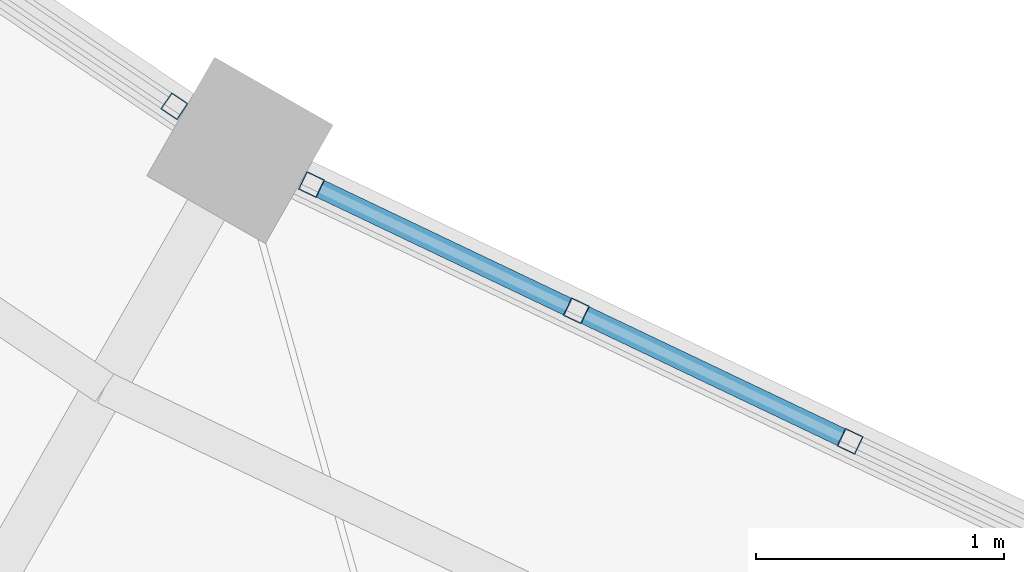
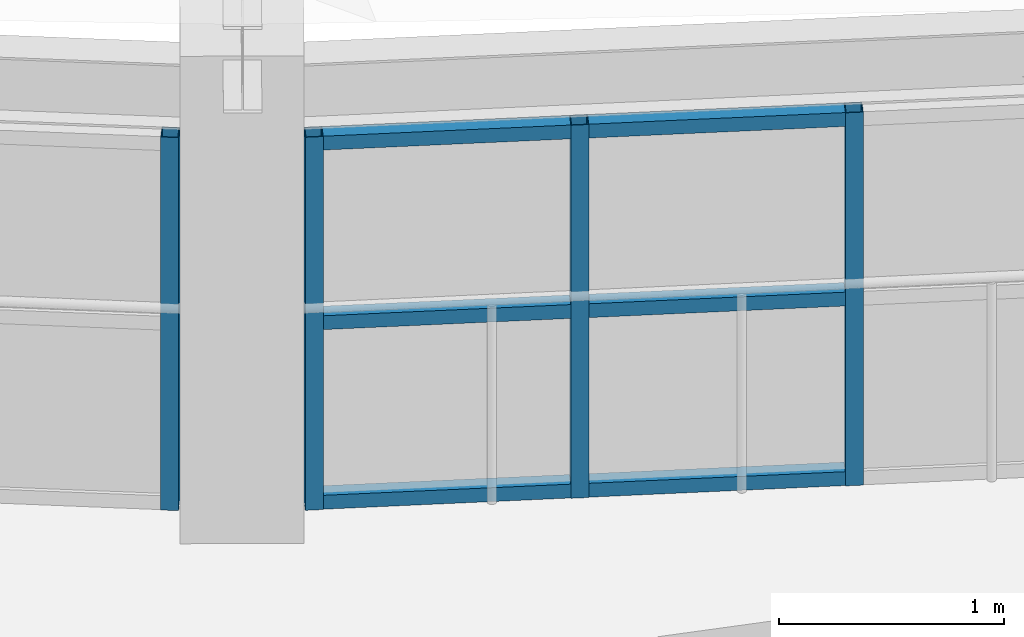
# One storey, part 40 of 149: 10 members, 2 elements without a shape of their own.
"""IFC4 building model written with IfcOpenShell, lengths in metres."""

from ifc_helpers import new_model, si_unit, direction, frame, origin, origin_2d, place, context, subcontext, project, spatial, hollow_rectangle, extrude, material, material_profile, profile_set, type_object, element, aggregate, save


model = new_model("IFC4")

# Units and contexts
model_context = context("Model", 3, precision=1e-05, world=origin(), true_north=direction((0.0, 1.0)))
body_context = subcontext(model_context, "Body", "Model", "MODEL_VIEW")
ifc_project = project(units=[si_unit("LENGTHUNIT", "METRE"), si_unit("AREAUNIT", "SQUARE_METRE"), si_unit("VOLUMEUNIT", "CUBIC_METRE"), si_unit("PLANEANGLEUNIT", "RADIAN"), si_unit("MASSUNIT", "GRAM", prefix="KILO")], contexts=[model_context])

# Site, building, storey
site_placement = place(None, origin())
site = spatial("IfcSite", under=ifc_project, at=site_placement, CompositionType="ELEMENT")
building_placement = place(site_placement, origin())
building = spatial("IfcBuilding", under=site, at=building_placement, Name="Celadon Cloister-Ring School", CompositionType="ELEMENT")
storey_placement = place(building_placement, frame((0.0, 0.0, 12.5)))
storey = spatial("IfcBuildingStorey", under=building, at=storey_placement, Name="L03", CompositionType="ELEMENT", Elevation=12.5)

# Curtain wall, member
ifc_material_1 = material(Name="Aluminium EN AW-6063 T6", Category="aluminium")
curtain_wall_type = type_object("IfcCurtainWallType", Name="CW-02", PredefinedType="USERDEFINED", material=ifc_material_1)
curtain_wall_1_placement = place(storey_placement, origin())
curtain_wall_1 = element("IfcCurtainWall", 1, at=curtain_wall_1_placement, inside=storey, type_object=curtain_wall_type, Name="Curtain Wall 0057", ObjectType="CURTAIN WALL", PredefinedType="USERDEFINED")
ifc_material_2 = material(Name="Aluminium EN AW-6063 T6", Category="aluminium")
ifc_material_profile_1 = material_profile(ifc_material_2, hollow_rectangle(XDim=0.080078125, YDim=0.080078125, WallThickness=0.00390625, at=origin_2d()), Name="RHS80X80X4")
ifc_profile_set_1 = profile_set([ifc_material_profile_1], Name="Aluminium EN AW-6063 T6")
member_type_1 = type_object("IfcMemberType", Name="CM-03", PredefinedType="MULLION", material=ifc_profile_set_1)
member_1_placement = place(storey_placement, frame((64.415771484375, 20.104248046875, 0.0), z_axis=(0.0, 0.0, 1.0), x_axis=(0.558848567753, 0.829269725916, 0.0)))
member_1 = element("IfcMember", 2, at=member_1_placement, type_object=member_type_1, Name="CW-02 mullion 6", PredefinedType="MULLION", context=body_context, shape_type="SweptSolid", body=[
    extrude(hollow_rectangle(XDim=0.080078125, YDim=0.080078125, WallThickness=0.00390625, at=origin_2d()), origin(), (0.0, 0.0, 1.0), 2.02001953125),
])
aggregate(curtain_wall_1, [member_1])

# Curtain wall, members
curtain_wall_2_placement = place(storey_placement, origin())
curtain_wall_2 = element("IfcCurtainWall", 3, at=curtain_wall_2_placement, inside=storey, type_object=curtain_wall_type, Name="Curtain Wall 0058", ObjectType="CURTAIN WALL", PredefinedType="USERDEFINED")
member_2_placement = place(storey_placement, frame((64.968017578125, 19.788818359375, 0.0), z_axis=(0.0, 0.0, 1.0), x_axis=(0.430371984189, 0.902651624507, 0.0)))
member_2 = element("IfcMember", 4, at=member_2_placement, type_object=member_type_1, Name="CW-02 mullion 1", PredefinedType="MULLION", context=body_context, shape_type="SweptSolid", body=[
    extrude(hollow_rectangle(XDim=0.080078125, YDim=0.080078125, WallThickness=0.00390625, at=origin_2d()), origin(), (0.0, 0.0, 1.0), 2.02001953125),
])
member_3_placement = place(storey_placement, frame((66.034912109375, 19.2802734375, 0.0), z_axis=(0.0, 0.0, 1.0), x_axis=(0.430371984189, 0.902651624507, 0.0)))
member_3 = element("IfcMember", 5, at=member_3_placement, type_object=member_type_1, Name="CW-02 mullion 2", PredefinedType="MULLION", context=body_context, shape_type="SweptSolid", body=[
    extrude(hollow_rectangle(XDim=0.080078125, YDim=0.080078125, WallThickness=0.00390625, at=origin_2d()), origin(), (0.0, 0.0, 1.0), 2.02001953125),
])
member_4_placement = place(storey_placement, frame((67.1376953125, 18.75439453125, 0.0), z_axis=(0.0, 0.0, 1.0), x_axis=(0.430371984189, 0.902651624507, 0.0)))
member_4 = element("IfcMember", 6, at=member_4_placement, type_object=member_type_1, Name="CW-02 mullion 3", PredefinedType="MULLION", context=body_context, shape_type="SweptSolid", body=[
    extrude(hollow_rectangle(XDim=0.080078125, YDim=0.080078125, WallThickness=0.00390625, at=origin_2d()), origin(), (0.0, 0.0, 1.0), 2.02001953125),
])
ifc_material_3 = material(Name="Aluminium EN AW-6063 T6", Category="aluminium")
ifc_material_profile_2 = material_profile(ifc_material_3, hollow_rectangle(XDim=0.074951171875, YDim=0.074951171875, WallThickness=0.00390625, at=origin_2d()), Name="RHS75X75X4")
ifc_profile_set_2 = profile_set([ifc_material_profile_2], Name="Aluminium EN AW-6063 T6")
member_type_2 = type_object("IfcMemberType", Name="CTM-03", PredefinedType="USERDEFINED", material=ifc_profile_set_2)
member_5_placement = place(storey_placement, frame((65.004150390625, 19.771484375, 0.03759765625), z_axis=(0.902688430546, -0.430294779608, 0.0), x_axis=(0.430294779608, 0.902688430546, 0.0)))
member_5 = element("IfcMember", 7, at=member_5_placement, type_object=member_type_2, Name="CW-02 transom 1.1", ObjectType="TRANSOM", PredefinedType="USERDEFINED", context=body_context, shape_type="SweptSolid", body=[
    extrude(hollow_rectangle(XDim=0.074951171875, YDim=0.074951171875, WallThickness=0.00390625, at=origin_2d()), origin(), (0.0, 0.0, 1.0), 1.101806640625),
])
member_6_placement = place(storey_placement, frame((65.004150390625, 19.771484375, 1.010009765625), z_axis=(0.902688430546, -0.430294779608, 0.0), x_axis=(0.430294779608, 0.902688430546, 0.0)))
member_6 = element("IfcMember", 8, at=member_6_placement, type_object=member_type_2, Name="CW-02 transom 1.2", ObjectType="TRANSOM", PredefinedType="USERDEFINED", context=body_context, shape_type="SweptSolid", body=[
    extrude(hollow_rectangle(XDim=0.074951171875, YDim=0.074951171875, WallThickness=0.00390625, at=origin_2d()), origin(), (0.0, 0.0, 1.0), 1.101806640625),
])
member_7_placement = place(storey_placement, frame((65.004150390625, 19.771484375, 1.982421875), z_axis=(0.902688430546, -0.430294779608, 0.0), x_axis=(0.430294779608, 0.902688430546, 0.0)))
member_7 = element("IfcMember", 9, at=member_7_placement, type_object=member_type_2, Name="CW-02 transom 1.3", ObjectType="TRANSOM", PredefinedType="USERDEFINED", context=body_context, shape_type="SweptSolid", body=[
    extrude(hollow_rectangle(XDim=0.074951171875, YDim=0.074951171875, WallThickness=0.00390625, at=origin_2d()), origin(), (0.0, 0.0, 1.0), 1.101806640625),
])
member_8_placement = place(storey_placement, frame((66.07080078125, 19.262939453125, 0.03759765625), z_axis=(0.902734007789, -0.43019915293, 0.0), x_axis=(0.43019915293, 0.902734007789, 0.0)))
member_8 = element("IfcMember", 10, at=member_8_placement, type_object=member_type_2, Name="CW-02 transom 2.1", ObjectType="TRANSOM", PredefinedType="USERDEFINED", context=body_context, shape_type="SweptSolid", body=[
    extrude(hollow_rectangle(XDim=0.074951171875, YDim=0.074951171875, WallThickness=0.00390625, at=origin_2d()), origin(), (0.0, 0.0, 1.0), 1.141845703125),
])
member_9_placement = place(storey_placement, frame((66.07080078125, 19.262939453125, 1.010009765625), z_axis=(0.902734007789, -0.43019915293, 0.0), x_axis=(0.43019915293, 0.902734007789, 0.0)))
member_9 = element("IfcMember", 11, at=member_9_placement, type_object=member_type_2, Name="CW-02 transom 2.2", ObjectType="TRANSOM", PredefinedType="USERDEFINED", context=body_context, shape_type="SweptSolid", body=[
    extrude(hollow_rectangle(XDim=0.074951171875, YDim=0.074951171875, WallThickness=0.00390625, at=origin_2d()), origin(), (0.0, 0.0, 1.0), 1.141845703125),
])
member_10_placement = place(storey_placement, frame((66.07080078125, 19.262939453125, 1.982421875), z_axis=(0.902734007789, -0.43019915293, 0.0), x_axis=(0.43019915293, 0.902734007789, 0.0)))
member_10 = element("IfcMember", 12, at=member_10_placement, type_object=member_type_2, Name="CW-02 transom 2.3", ObjectType="TRANSOM", PredefinedType="USERDEFINED", context=body_context, shape_type="SweptSolid", body=[
    extrude(hollow_rectangle(XDim=0.074951171875, YDim=0.074951171875, WallThickness=0.00390625, at=origin_2d()), origin(), (0.0, 0.0, 1.0), 1.141845703125),
])
aggregate(curtain_wall_2, [member_2, member_3, member_4, member_5, member_6, member_7, member_8, member_9, member_10])

save(model, "model.ifc")
